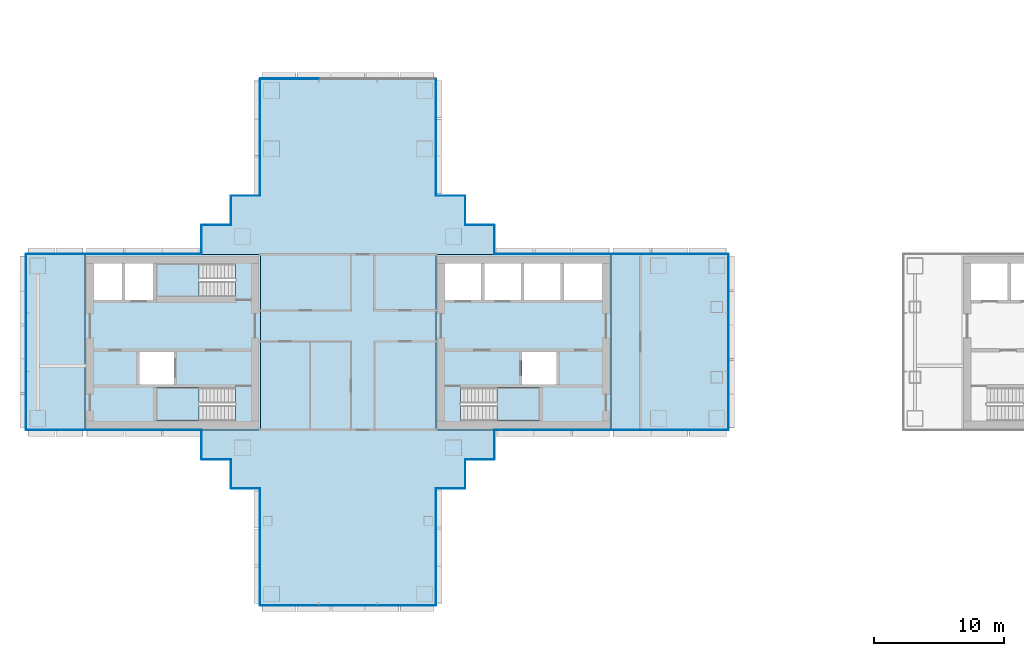
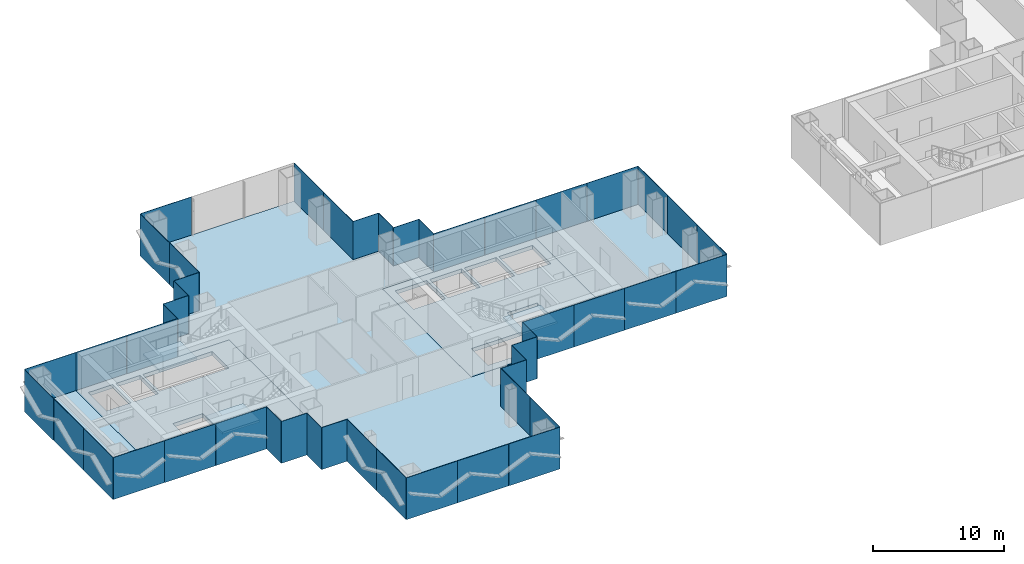
# One storey, part 9 of 18: 48 plates, 8 slabs, 23 elements without a shape of their own.
"""IFC4 building model written with IfcOpenShell, lengths in metres."""

from ifc_helpers import new_model, si_unit, direction, frame, origin, origin_2d, place, context, subcontext, project, spatial, polyline, rectangle, outline, extrude, material, layer, layer_set, type_object, element, aggregate, save


model = new_model("IFC4")

# Units and contexts
model_context = context("Model", 3, precision=1e-05, world=origin(), true_north=direction((0.0, 1.0)))
body_context = subcontext(model_context, "Body", "Model", "MODEL_VIEW")
ifc_project = project(units=[si_unit("LENGTHUNIT", "METRE"), si_unit("AREAUNIT", "SQUARE_METRE"), si_unit("VOLUMEUNIT", "CUBIC_METRE"), si_unit("PLANEANGLEUNIT", "RADIAN"), si_unit("MASSUNIT", "GRAM", prefix="KILO")], contexts=[model_context])

# Site, building, storey
site_placement = place(None, origin())
site = spatial("IfcSite", under=ifc_project, at=site_placement, CompositionType="ELEMENT")
building_placement = place(site_placement, origin())
building = spatial("IfcBuilding", under=site, at=building_placement, Name="Shamsa Quay Exchange Towers", CompositionType="ELEMENT")
storey_placement = place(building_placement, frame((0.0, 0.0, 113.10009765625)))
storey = spatial("IfcBuildingStorey", under=building, at=storey_placement, Name="L26", CompositionType="ELEMENT", Elevation=113.10009765625)

# Slabs
ifc_material_1 = material(Name="Concrete C50/60", Category="concrete")
ifc_layer_1 = layer(ifc_material_1, 0.35009765625)
ifc_layer_set_1 = layer_set([ifc_layer_1], Name="CORE FLOOR 350 C50/60")
slab_type_1 = type_object("IfcSlabType", Name="CORE FLOOR 350 C50/60", PredefinedType="FLOOR", material=ifc_layer_set_1)
slab_1_placement = place(storey_placement, frame((0.0, 0.0, -0.35009765625)))
element("IfcSlab", 1, at=slab_1_placement, inside=storey, type_object=slab_type_1, Name="Core floor T1A", PredefinedType="FLOOR", context=body_context, shape_type="SweptSolid", body=[
    extrude(outline(polyline([(-27.0, -6.75), (-13.5, -6.75), (-13.5, 6.75), (-27.0, 6.75), (-27.0, -6.75)]), holes=[polyline([(-25.099365234375, -6.050048828125), (-25.099365234375, -3.5), (-19.0, -3.5), (-19.0, -6.050048828125), (-25.099365234375, -6.050048828125)]), polyline([(-26.300048828125, 3.25), (-26.300048828125, 6.050048828125), (-23.5, 6.050048828125), (-23.5, 3.25), (-26.300048828125, 3.25)]), polyline([(-23.25, 3.25), (-23.25, 6.050048828125), (-20.449951171875, 6.050048828125), (-20.449951171875, 3.25), (-23.25, 3.25)]), polyline([(-20.199951171875, 3.25), (-20.199951171875, 6.050048828125), (-17.39990234375, 6.050048828125), (-17.39990234375, 3.25), (-20.199951171875, 3.25)]), polyline([(-17.14990234375, 3.25), (-17.14990234375, 6.050048828125), (-14.199951171875, 6.050048828125), (-14.199951171875, 3.25), (-17.14990234375, 3.25)]), polyline([(-20.35009765625, -3.25), (-20.35009765625, -0.75), (-17.699951171875, -0.75), (-17.699951171875, -3.25), (-20.35009765625, -3.25)])]), origin(), (0.0, 0.0, 1.0), 0.35009765625),
])
slab_2_placement = place(storey_placement, frame((0.0, 0.0, -0.35009765625)))
element("IfcSlab", 2, at=slab_2_placement, inside=storey, type_object=slab_type_1, Name="Core floor T1B", PredefinedType="FLOOR", context=body_context, shape_type="SweptSolid", body=[
    extrude(outline(polyline([(-40.5, -6.75), (-40.5, 6.75), (-54.0, 6.75), (-54.0, -6.75), (-40.5, -6.75)]), holes=[polyline([(-42.400634765625, -3.5), (-42.400634765625, -6.050048828125), (-48.5, -6.050048828125), (-48.5, -3.5), (-42.400634765625, -3.5)]), polyline([(-42.400634765625, 6.050048828125), (-42.400634765625, 3.5), (-48.5, 3.5), (-48.5, 6.050048828125), (-42.400634765625, 6.050048828125)]), polyline([(-48.75, 3.25), (-50.89990234375, 3.25), (-50.89990234375, 6.050048828125), (-48.75, 6.050048828125), (-48.75, 3.25)]), polyline([(-51.14990234375, 3.25), (-53.300048828125, 3.25), (-53.300048828125, 6.050048828125), (-51.14990234375, 6.050048828125), (-51.14990234375, 3.25)]), polyline([(-47.14990234375, -3.25), (-49.800048828125, -3.25), (-49.800048828125, -0.75), (-47.14990234375, -0.75), (-47.14990234375, -3.25)])]), origin(), (0.0, 0.0, 1.0), 0.35009765625),
])

# Stair, slab
ifc_material_2 = material(Name="Concrete C40/50", Category="concrete")
stair_type = type_object("IfcStairType", Name="EXIT STAIR 22 RISERS 177 MM", PredefinedType="HALF_TURN_STAIR", material=ifc_material_2)
stair_1_placement = place(storey_placement, origin())
stair_1 = element("IfcStair", 3, at=stair_1_placement, inside=storey, type_object=stair_type, Name="L26 Exit stair ST1", PredefinedType="HALF_TURN_STAIR")
ifc_layer_2 = layer(ifc_material_2, 0.199951171875)
ifc_layer_set_2 = layer_set([ifc_layer_2], Name="CORE STAIR LANDING")
slab_type_2 = type_object("IfcSlabType", Name="CORE STAIR LANDING", PredefinedType="LANDING", material=ifc_layer_set_2)
slab_3_placement = place(storey_placement, frame((0.0, 0.0, 1.75)))
slab_3 = element("IfcSlab", 4, at=slab_3_placement, type_object=slab_type_2, Name="ST1 landing 1", PredefinedType="LANDING", context=body_context, shape_type="SweptSolid", body=[
    extrude(outline(polyline([(-22.300048828125, -6.050048828125), (-19.0, -6.050048828125), (-19.0, -3.5), (-22.300048828125, -3.5), (-22.300048828125, -6.050048828125)])), origin(), (0.0, 0.0, 1.0), 0.199951171875),
])
aggregate(stair_1, [slab_3])

stair_2_placement = place(storey_placement, origin())
stair_2 = element("IfcStair", 5, at=stair_2_placement, inside=storey, type_object=stair_type, Name="L26 Exit stair ST2", PredefinedType="HALF_TURN_STAIR")
slab_4_placement = place(storey_placement, frame((0.0, 0.0, 1.75)))
slab_4 = element("IfcSlab", 6, at=slab_4_placement, type_object=slab_type_2, Name="ST2 landing 1", PredefinedType="LANDING", context=body_context, shape_type="SweptSolid", body=[
    extrude(outline(polyline([(-45.199951171875, -3.5), (-48.5, -3.5), (-48.5, -6.050048828125), (-45.199951171875, -6.050048828125), (-45.199951171875, -3.5)])), origin(), (0.0, 0.0, 1.0), 0.199951171875),
])
aggregate(stair_2, [slab_4])

stair_3_placement = place(storey_placement, origin())
stair_3 = element("IfcStair", 7, at=stair_3_placement, inside=storey, type_object=stair_type, Name="L26 Exit stair ST3", PredefinedType="HALF_TURN_STAIR")
slab_5_placement = place(storey_placement, frame((0.0, 0.0, 1.75)))
slab_5 = element("IfcSlab", 8, at=slab_5_placement, type_object=slab_type_2, Name="ST3 landing 1", PredefinedType="LANDING", context=body_context, shape_type="SweptSolid", body=[
    extrude(outline(polyline([(-45.199951171875, 6.050048828125), (-48.5, 6.050048828125), (-48.5, 3.5), (-45.199951171875, 3.5), (-45.199951171875, 6.050048828125)])), origin(), (0.0, 0.0, 1.0), 0.199951171875),
])
aggregate(stair_3, [slab_5])

# Curtain wall, plates
ifc_material_3 = material(Name="Aluminium EN AW-6063 T6, black anodised", Category="aluminium")
ifc_layer_3 = layer(ifc_material_3, 0.280029296875)
ifc_layer_set_3 = layer_set([ifc_layer_3], Name="CW-1 UNITISED VISION GLASS")
curtain_wall_type_1 = type_object("IfcCurtainWallType", Name="CW-1 UNITISED VISION GLASS", PredefinedType="NOTDEFINED", material=ifc_layer_set_3)
curtain_wall_1_placement = place(storey_placement, origin())
curtain_wall_1 = element("IfcCurtainWall", 9, at=curtain_wall_1_placement, inside=storey, type_object=curtain_wall_type_1, Name="CW1 T1-FLK-V-W L26", PredefinedType="NOTDEFINED")
ifc_material_4 = material(Name="Glass, laminated, dark tinted", Category="glass")
ifc_layer_4 = layer(ifc_material_4, 0.0400390625)
ifc_layer_set_4 = layer_set([ifc_layer_4], Name="CW-1 VISION GLASS 40")
plate_type_1 = type_object("IfcPlateType", Name="CW-1 VISION GLASS 40", PredefinedType="CURTAIN_PANEL", material=ifc_layer_set_4)
plate_1_placement = place(storey_placement, frame((-40.52001953125, -13.52587890625, -0.35009765625), z_axis=(0.0, 0.0, 1.0), x_axis=(0.0, -1.0, 0.0)))
plate_1 = element("IfcPlate", 10, at=plate_1_placement, type_object=plate_type_1, Name="CW1 glass panel", PredefinedType="CURTAIN_PANEL", context=body_context, shape_type="SweptSolid", body=[
    extrude(rectangle(XDim=4.47607421875, YDim=0.0400390625, at=origin_2d()), origin(), (0.0, 0.0, 1.0), 3.89990234375),
])
plate_2_placement = place(storey_placement, frame((-40.52001953125, -18.011962890625, -0.35009765625), z_axis=(0.0, 0.0, 1.0), x_axis=(0.0, -1.0, 0.0)))
plate_2 = element("IfcPlate", 11, at=plate_2_placement, type_object=plate_type_1, Name="CW1 glass panel", PredefinedType="CURTAIN_PANEL", context=body_context, shape_type="SweptSolid", body=[
    extrude(rectangle(XDim=4.47607421875, YDim=0.0400390625, at=origin_2d()), origin(), (0.0, 0.0, 1.0), 3.89990234375),
])
aggregate(curtain_wall_1, [plate_1, plate_2])

curtain_wall_2_placement = place(storey_placement, origin())
curtain_wall_2 = element("IfcCurtainWall", 12, at=curtain_wall_2_placement, inside=storey, type_object=curtain_wall_type_1, Name="CW1 T1-END-V- L26", PredefinedType="NOTDEFINED")
plate_3_placement = place(storey_placement, frame((-38.25244140625, -20.27001953125, -0.35009765625)))
plate_3 = element("IfcPlate", 13, at=plate_3_placement, type_object=plate_type_1, Name="CW1 glass panel", PredefinedType="CURTAIN_PANEL", context=body_context, shape_type="SweptSolid", body=[
    extrude(rectangle(XDim=4.4951171875, YDim=0.0400390625, at=origin_2d()), origin(), (0.0, 0.0, 1.0), 3.89990234375),
])
plate_4_placement = place(storey_placement, frame((-33.75, -20.27001953125, -0.35009765625)))
plate_4 = element("IfcPlate", 14, at=plate_4_placement, type_object=plate_type_1, Name="CW1 glass panel", PredefinedType="CURTAIN_PANEL", context=body_context, shape_type="SweptSolid", body=[
    extrude(rectangle(XDim=4.489990234375, YDim=0.0400390625, at=origin_2d()), origin(), (0.0, 0.0, 1.0), 3.89990234375),
])
plate_5_placement = place(storey_placement, frame((-29.24755859375, -20.27001953125, -0.35009765625)))
plate_5 = element("IfcPlate", 15, at=plate_5_placement, type_object=plate_type_1, Name="CW1 glass panel", PredefinedType="CURTAIN_PANEL", context=body_context, shape_type="SweptSolid", body=[
    extrude(rectangle(XDim=4.4951171875, YDim=0.0400390625, at=origin_2d()), origin(), (0.0, 0.0, 1.0), 3.89990234375),
])
aggregate(curtain_wall_2, [plate_3, plate_4, plate_5])

curtain_wall_3_placement = place(storey_placement, origin())
curtain_wall_3 = element("IfcCurtainWall", 16, at=curtain_wall_3_placement, inside=storey, type_object=curtain_wall_type_1, Name="CW1 T1-FLK-V-E L26", PredefinedType="NOTDEFINED")
plate_6_placement = place(storey_placement, frame((-26.97998046875, -18.00244140625, -0.35009765625), z_axis=(0.0, 0.0, 1.0), x_axis=(0.0, 1.0, 0.0)))
plate_6 = element("IfcPlate", 17, at=plate_6_placement, type_object=plate_type_1, Name="CW1 glass panel", PredefinedType="CURTAIN_PANEL", context=body_context, shape_type="SweptSolid", body=[
    extrude(rectangle(XDim=4.4951171875, YDim=0.0400390625, at=origin_2d()), origin(), (0.0, 0.0, 1.0), 3.89990234375),
])
plate_7_placement = place(storey_placement, frame((-26.97998046875, -13.49755859375, -0.35009765625), z_axis=(0.0, 0.0, 1.0), x_axis=(0.0, 1.0, 0.0)))
plate_7 = element("IfcPlate", 18, at=plate_7_placement, type_object=plate_type_1, Name="CW1 glass panel", PredefinedType="CURTAIN_PANEL", context=body_context, shape_type="SweptSolid", body=[
    extrude(rectangle(XDim=4.4951171875, YDim=0.0400390625, at=origin_2d()), origin(), (0.0, 0.0, 1.0), 3.89990234375),
])
aggregate(curtain_wall_3, [plate_6, plate_7])

curtain_wall_4_placement = place(storey_placement, origin())
curtain_wall_4 = element("IfcCurtainWall", 19, at=curtain_wall_4_placement, inside=storey, type_object=curtain_wall_type_1, Name="CW1 T1-FLK-U+S L26", PredefinedType="NOTDEFINED")
plate_8_placement = place(storey_placement, frame((-11.25244140625, -6.77001953125, -0.35009765625)))
plate_8 = element("IfcPlate", 20, at=plate_8_placement, type_object=plate_type_1, Name="CW1 glass panel", PredefinedType="CURTAIN_PANEL", context=body_context, shape_type="SweptSolid", body=[
    extrude(rectangle(XDim=4.4951171875, YDim=0.0400390625, at=origin_2d()), origin(), (0.0, 0.0, 1.0), 3.89990234375),
])
plate_9_placement = place(storey_placement, frame((-6.74755859375, -6.77001953125, -0.35009765625)))
plate_9 = element("IfcPlate", 21, at=plate_9_placement, type_object=plate_type_1, Name="CW1 glass panel", PredefinedType="CURTAIN_PANEL", context=body_context, shape_type="SweptSolid", body=[
    extrude(rectangle(XDim=4.4951171875, YDim=0.0400390625, at=origin_2d()), origin(), (0.0, 0.0, 1.0), 3.89990234375),
])
aggregate(curtain_wall_4, [plate_8, plate_9])

curtain_wall_5_placement = place(storey_placement, origin())
curtain_wall_5 = element("IfcCurtainWall", 22, at=curtain_wall_5_placement, inside=storey, type_object=curtain_wall_type_1, Name="CW1 T1-END-U+ L26", PredefinedType="NOTDEFINED")
plate_10_placement = place(storey_placement, frame((-4.47998046875, -4.50244140625, -0.35009765625), z_axis=(0.0, 0.0, 1.0), x_axis=(0.0, 1.0, 0.0)))
plate_10 = element("IfcPlate", 23, at=plate_10_placement, type_object=plate_type_1, Name="CW1 glass panel", PredefinedType="CURTAIN_PANEL", context=body_context, shape_type="SweptSolid", body=[
    extrude(rectangle(XDim=4.4951171875, YDim=0.0400390625, at=origin_2d()), origin(), (0.0, 0.0, 1.0), 3.89990234375),
])
plate_11_placement = place(storey_placement, frame((-4.47998046875, 0.0, -0.35009765625), z_axis=(0.0, 0.0, 1.0), x_axis=(0.0, 1.0, 0.0)))
plate_11 = element("IfcPlate", 24, at=plate_11_placement, type_object=plate_type_1, Name="CW1 glass panel", PredefinedType="CURTAIN_PANEL", context=body_context, shape_type="SweptSolid", body=[
    extrude(rectangle(XDim=4.489990234375, YDim=0.0400390625, at=origin_2d()), origin(), (0.0, 0.0, 1.0), 3.89990234375),
])
plate_12_placement = place(storey_placement, frame((-4.47998046875, 4.50244140625, -0.35009765625), z_axis=(0.0, 0.0, 1.0), x_axis=(0.0, 1.0, 0.0)))
plate_12 = element("IfcPlate", 25, at=plate_12_placement, type_object=plate_type_1, Name="CW1 glass panel", PredefinedType="CURTAIN_PANEL", context=body_context, shape_type="SweptSolid", body=[
    extrude(rectangle(XDim=4.4951171875, YDim=0.0400390625, at=origin_2d()), origin(), (0.0, 0.0, 1.0), 3.89990234375),
])
aggregate(curtain_wall_5, [plate_10, plate_11, plate_12])

curtain_wall_6_placement = place(storey_placement, origin())
curtain_wall_6 = element("IfcCurtainWall", 26, at=curtain_wall_6_placement, inside=storey, type_object=curtain_wall_type_1, Name="CW1 T1-FLK-U+N L26", PredefinedType="NOTDEFINED")
plate_13_placement = place(storey_placement, frame((-6.74755859375, 6.77001953125, -0.35009765625), z_axis=(0.0, 0.0, 1.0), x_axis=(-1.0, 0.0, 0.0)))
plate_13 = element("IfcPlate", 27, at=plate_13_placement, type_object=plate_type_1, Name="CW1 glass panel", PredefinedType="CURTAIN_PANEL", context=body_context, shape_type="SweptSolid", body=[
    extrude(rectangle(XDim=4.4951171875, YDim=0.0400390625, at=origin_2d()), origin(), (0.0, 0.0, 1.0), 3.89990234375),
])
plate_14_placement = place(storey_placement, frame((-11.25244140625, 6.77001953125, -0.35009765625), z_axis=(0.0, 0.0, 1.0), x_axis=(-1.0, 0.0, 0.0)))
plate_14 = element("IfcPlate", 28, at=plate_14_placement, type_object=plate_type_1, Name="CW1 glass panel", PredefinedType="CURTAIN_PANEL", context=body_context, shape_type="SweptSolid", body=[
    extrude(rectangle(XDim=4.4951171875, YDim=0.0400390625, at=origin_2d()), origin(), (0.0, 0.0, 1.0), 3.89990234375),
])
aggregate(curtain_wall_6, [plate_13, plate_14])

curtain_wall_7_placement = place(storey_placement, origin())
curtain_wall_7 = element("IfcCurtainWall", 29, at=curtain_wall_7_placement, inside=storey, type_object=curtain_wall_type_1, Name="CW1 T1-FLK-V+E L26", PredefinedType="NOTDEFINED")
plate_15_placement = place(storey_placement, frame((-26.97998046875, 13.52587890625, -0.35009765625), z_axis=(0.0, 0.0, 1.0), x_axis=(0.0, 1.0, 0.0)))
plate_15 = element("IfcPlate", 30, at=plate_15_placement, type_object=plate_type_1, Name="CW1 glass panel", PredefinedType="CURTAIN_PANEL", context=body_context, shape_type="SweptSolid", body=[
    extrude(rectangle(XDim=4.47607421875, YDim=0.0400390625, at=origin_2d()), origin(), (0.0, 0.0, 1.0), 3.89990234375),
])
plate_16_placement = place(storey_placement, frame((-26.97998046875, 18.011962890625, -0.35009765625), z_axis=(0.0, 0.0, 1.0), x_axis=(0.0, 1.0, 0.0)))
plate_16 = element("IfcPlate", 31, at=plate_16_placement, type_object=plate_type_1, Name="CW1 glass panel", PredefinedType="CURTAIN_PANEL", context=body_context, shape_type="SweptSolid", body=[
    extrude(rectangle(XDim=4.47607421875, YDim=0.0400390625, at=origin_2d()), origin(), (0.0, 0.0, 1.0), 3.89990234375),
])
aggregate(curtain_wall_7, [plate_15, plate_16])

# Curtain wall, plate
curtain_wall_8_placement = place(storey_placement, origin())
curtain_wall_8 = element("IfcCurtainWall", 32, at=curtain_wall_8_placement, inside=storey, type_object=curtain_wall_type_1, Name="CW1 T1-END-V+ L26", PredefinedType="NOTDEFINED")
plate_17_placement = place(storey_placement, frame((-38.25244140625, 20.27001953125, -0.35009765625), z_axis=(0.0, 0.0, 1.0), x_axis=(-1.0, 0.0, 0.0)))
plate_17 = element("IfcPlate", 33, at=plate_17_placement, type_object=plate_type_1, Name="CW1 glass panel", PredefinedType="CURTAIN_PANEL", context=body_context, shape_type="SweptSolid", body=[
    extrude(rectangle(XDim=4.4951171875, YDim=0.0400390625, at=origin_2d()), origin(), (0.0, 0.0, 1.0), 3.89990234375),
])
aggregate(curtain_wall_8, [plate_17])

# Curtain wall, plates
curtain_wall_9_placement = place(storey_placement, origin())
curtain_wall_9 = element("IfcCurtainWall", 34, at=curtain_wall_9_placement, inside=storey, type_object=curtain_wall_type_1, Name="CW1 T1-FLK-V+W L26", PredefinedType="NOTDEFINED")
plate_18_placement = place(storey_placement, frame((-40.52001953125, 18.00244140625, -0.35009765625), z_axis=(0.0, 0.0, 1.0), x_axis=(0.0, -1.0, 0.0)))
plate_18 = element("IfcPlate", 35, at=plate_18_placement, type_object=plate_type_1, Name="CW1 glass panel", PredefinedType="CURTAIN_PANEL", context=body_context, shape_type="SweptSolid", body=[
    extrude(rectangle(XDim=4.4951171875, YDim=0.0400390625, at=origin_2d()), origin(), (0.0, 0.0, 1.0), 3.89990234375),
])
plate_19_placement = place(storey_placement, frame((-40.52001953125, 13.49755859375, -0.35009765625), z_axis=(0.0, 0.0, 1.0), x_axis=(0.0, -1.0, 0.0)))
plate_19 = element("IfcPlate", 36, at=plate_19_placement, type_object=plate_type_1, Name="CW1 glass panel", PredefinedType="CURTAIN_PANEL", context=body_context, shape_type="SweptSolid", body=[
    extrude(rectangle(XDim=4.4951171875, YDim=0.0400390625, at=origin_2d()), origin(), (0.0, 0.0, 1.0), 3.89990234375),
])
aggregate(curtain_wall_9, [plate_18, plate_19])

# Curtain wall, plate
curtain_wall_10_placement = place(storey_placement, origin())
curtain_wall_10 = element("IfcCurtainWall", 37, at=curtain_wall_10_placement, inside=storey, type_object=curtain_wall_type_1, Name="CW1 T1-FLK-U-N L26", PredefinedType="NOTDEFINED")
plate_20_placement = place(storey_placement, frame((-56.25, 6.77001953125, -0.35009765625), z_axis=(0.0, 0.0, 1.0), x_axis=(-1.0, 0.0, 0.0)))
plate_20 = element("IfcPlate", 38, at=plate_20_placement, type_object=plate_type_1, Name="CW1 glass panel", PredefinedType="CURTAIN_PANEL", context=body_context, shape_type="SweptSolid", body=[
    extrude(rectangle(XDim=4.5, YDim=0.0400390625, at=origin_2d()), origin(), (0.0, 0.0, 1.0), 3.89990234375),
])
aggregate(curtain_wall_10, [plate_20])

# Curtain wall, plates
curtain_wall_11_placement = place(storey_placement, origin())
curtain_wall_11 = element("IfcCurtainWall", 39, at=curtain_wall_11_placement, inside=storey, type_object=curtain_wall_type_1, Name="CW1 T1-END-U- L26", PredefinedType="NOTDEFINED")
plate_21_placement = place(storey_placement, frame((-58.52001953125, 4.50244140625, -0.35009765625), z_axis=(0.0, 0.0, 1.0), x_axis=(0.0, -1.0, 0.0)))
plate_21 = element("IfcPlate", 40, at=plate_21_placement, type_object=plate_type_1, Name="CW1 glass panel", PredefinedType="CURTAIN_PANEL", context=body_context, shape_type="SweptSolid", body=[
    extrude(rectangle(XDim=4.4951171875, YDim=0.0400390625, at=origin_2d()), origin(), (0.0, 0.0, 1.0), 3.89990234375),
])
plate_22_placement = place(storey_placement, frame((-58.52001953125, 0.0, -0.35009765625), z_axis=(0.0, 0.0, 1.0), x_axis=(0.0, -1.0, 0.0)))
plate_22 = element("IfcPlate", 41, at=plate_22_placement, type_object=plate_type_1, Name="CW1 glass panel", PredefinedType="CURTAIN_PANEL", context=body_context, shape_type="SweptSolid", body=[
    extrude(rectangle(XDim=4.489990234375, YDim=0.0400390625, at=origin_2d()), origin(), (0.0, 0.0, 1.0), 3.89990234375),
])
plate_23_placement = place(storey_placement, frame((-58.52001953125, -4.50244140625, -0.35009765625), z_axis=(0.0, 0.0, 1.0), x_axis=(0.0, -1.0, 0.0)))
plate_23 = element("IfcPlate", 42, at=plate_23_placement, type_object=plate_type_1, Name="CW1 glass panel", PredefinedType="CURTAIN_PANEL", context=body_context, shape_type="SweptSolid", body=[
    extrude(rectangle(XDim=4.4951171875, YDim=0.0400390625, at=origin_2d()), origin(), (0.0, 0.0, 1.0), 3.89990234375),
])
aggregate(curtain_wall_11, [plate_21, plate_22, plate_23])

# Curtain wall, plate
curtain_wall_12_placement = place(storey_placement, origin())
curtain_wall_12 = element("IfcCurtainWall", 43, at=curtain_wall_12_placement, inside=storey, type_object=curtain_wall_type_1, Name="CW1 T1-FLK-U-S L26", PredefinedType="NOTDEFINED")
plate_24_placement = place(storey_placement, frame((-56.25, -6.77001953125, -0.35009765625)))
plate_24 = element("IfcPlate", 44, at=plate_24_placement, type_object=plate_type_1, Name="CW1 glass panel", PredefinedType="CURTAIN_PANEL", context=body_context, shape_type="SweptSolid", body=[
    extrude(rectangle(XDim=4.5, YDim=0.0400390625, at=origin_2d()), origin(), (0.0, 0.0, 1.0), 3.89990234375),
])
aggregate(curtain_wall_12, [plate_24])

# Curtain wall, plates
ifc_layer_5 = layer(ifc_material_3, 0.303955078125)
ifc_layer_set_5 = layer_set([ifc_layer_5], Name="CW-2 UNITISED OPAQUE SPANDREL GLASS")
curtain_wall_type_2 = type_object("IfcCurtainWallType", Name="CW-2 UNITISED OPAQUE SPANDREL GLASS", PredefinedType="NOTDEFINED", material=ifc_layer_set_5)
curtain_wall_13_placement = place(storey_placement, origin())
curtain_wall_13 = element("IfcCurtainWall", 45, at=curtain_wall_13_placement, inside=storey, type_object=curtain_wall_type_2, Name="CW2 T1-FLK-U+S L26", PredefinedType="NOTDEFINED")
ifc_material_5 = material(Name="Glass, laminated, black enamelled opaque", Category="glass")
ifc_layer_6 = layer(ifc_material_5, 0.0439453125)
ifc_layer_set_6 = layer_set([ifc_layer_6], Name="CW-2 SPANDREL GLASS 44")
plate_type_2 = type_object("IfcPlateType", Name="CW-2 SPANDREL GLASS 44", PredefinedType="CURTAIN_PANEL", material=ifc_layer_set_6)
plate_25_placement = place(storey_placement, frame((-20.22412109375, -6.77197265625, -0.35009765625)))
plate_25 = element("IfcPlate", 46, at=plate_25_placement, type_object=plate_type_2, Name="CW2 glass panel", PredefinedType="CURTAIN_PANEL", context=body_context, shape_type="SweptSolid", body=[
    extrude(rectangle(XDim=4.47607421875, YDim=0.0439453125, at=origin_2d()), origin(), (0.0, 0.0, 1.0), 3.89990234375),
])
plate_26_placement = place(storey_placement, frame((-15.738037109375, -6.77197265625, -0.35009765625)))
plate_26 = element("IfcPlate", 47, at=plate_26_placement, type_object=plate_type_2, Name="CW2 glass panel", PredefinedType="CURTAIN_PANEL", context=body_context, shape_type="SweptSolid", body=[
    extrude(rectangle(XDim=4.47607421875, YDim=0.0439453125, at=origin_2d()), origin(), (0.0, 0.0, 1.0), 3.89990234375),
])
aggregate(curtain_wall_13, [plate_25, plate_26])

curtain_wall_14_placement = place(storey_placement, origin())
curtain_wall_14 = element("IfcCurtainWall", 48, at=curtain_wall_14_placement, inside=storey, type_object=curtain_wall_type_2, Name="CW2 T1-FLK-U+N L26", PredefinedType="NOTDEFINED")
plate_27_placement = place(storey_placement, frame((-15.74755859375, 6.77197265625, -0.35009765625), z_axis=(0.0, 0.0, 1.0), x_axis=(-1.0, 0.0, 0.0)))
plate_27 = element("IfcPlate", 49, at=plate_27_placement, type_object=plate_type_2, Name="CW2 glass panel", PredefinedType="CURTAIN_PANEL", context=body_context, shape_type="SweptSolid", body=[
    extrude(rectangle(XDim=4.4951171875, YDim=0.0439453125, at=origin_2d()), origin(), (0.0, 0.0, 1.0), 3.89990234375),
])
plate_28_placement = place(storey_placement, frame((-20.25244140625, 6.77197265625, -0.35009765625), z_axis=(0.0, 0.0, 1.0), x_axis=(-1.0, 0.0, 0.0)))
plate_28 = element("IfcPlate", 50, at=plate_28_placement, type_object=plate_type_2, Name="CW2 glass panel", PredefinedType="CURTAIN_PANEL", context=body_context, shape_type="SweptSolid", body=[
    extrude(rectangle(XDim=4.4951171875, YDim=0.0439453125, at=origin_2d()), origin(), (0.0, 0.0, 1.0), 3.89990234375),
])
aggregate(curtain_wall_14, [plate_27, plate_28])

curtain_wall_15_placement = place(storey_placement, origin())
curtain_wall_15 = element("IfcCurtainWall", 51, at=curtain_wall_15_placement, inside=storey, type_object=curtain_wall_type_2, Name="CW2 T1-FLK-U-N L26", PredefinedType="NOTDEFINED")
plate_29_placement = place(storey_placement, frame((-47.27587890625, 6.77197265625, -0.35009765625), z_axis=(0.0, 0.0, 1.0), x_axis=(-1.0, 0.0, 0.0)))
plate_29 = element("IfcPlate", 52, at=plate_29_placement, type_object=plate_type_2, Name="CW2 glass panel", PredefinedType="CURTAIN_PANEL", context=body_context, shape_type="SweptSolid", body=[
    extrude(rectangle(XDim=4.47607421875, YDim=0.0439453125, at=origin_2d()), origin(), (0.0, 0.0, 1.0), 3.89990234375),
])
plate_30_placement = place(storey_placement, frame((-51.761962890625, 6.77197265625, -0.35009765625), z_axis=(0.0, 0.0, 1.0), x_axis=(-1.0, 0.0, 0.0)))
plate_30 = element("IfcPlate", 53, at=plate_30_placement, type_object=plate_type_2, Name="CW2 glass panel", PredefinedType="CURTAIN_PANEL", context=body_context, shape_type="SweptSolid", body=[
    extrude(rectangle(XDim=4.47607421875, YDim=0.0439453125, at=origin_2d()), origin(), (0.0, 0.0, 1.0), 3.89990234375),
])
aggregate(curtain_wall_15, [plate_29, plate_30])

curtain_wall_16_placement = place(storey_placement, origin())
curtain_wall_16 = element("IfcCurtainWall", 54, at=curtain_wall_16_placement, inside=storey, type_object=curtain_wall_type_2, Name="CW2 T1-FLK-U-S L26", PredefinedType="NOTDEFINED")
plate_31_placement = place(storey_placement, frame((-51.75244140625, -6.77197265625, -0.35009765625)))
plate_31 = element("IfcPlate", 55, at=plate_31_placement, type_object=plate_type_2, Name="CW2 glass panel", PredefinedType="CURTAIN_PANEL", context=body_context, shape_type="SweptSolid", body=[
    extrude(rectangle(XDim=4.4951171875, YDim=0.0439453125, at=origin_2d()), origin(), (0.0, 0.0, 1.0), 3.89990234375),
])
plate_32_placement = place(storey_placement, frame((-47.24755859375, -6.77197265625, -0.35009765625)))
plate_32 = element("IfcPlate", 56, at=plate_32_placement, type_object=plate_type_2, Name="CW2 glass panel", PredefinedType="CURTAIN_PANEL", context=body_context, shape_type="SweptSolid", body=[
    extrude(rectangle(XDim=4.4951171875, YDim=0.0439453125, at=origin_2d()), origin(), (0.0, 0.0, 1.0), 3.89990234375),
])
aggregate(curtain_wall_16, [plate_31, plate_32])

ifc_layer_7 = layer(ifc_material_3, 0.256103515625)
ifc_layer_set_7 = layer_set([ifc_layer_7], Name="CW-4 POCKET SERRATED GLAZING")
curtain_wall_type_3 = type_object("IfcCurtainWallType", Name="CW-4 POCKET SERRATED GLAZING", PredefinedType="NOTDEFINED", material=ifc_layer_set_7)
curtain_wall_17_placement = place(storey_placement, origin())
curtain_wall_17 = element("IfcCurtainWall", 57, at=curtain_wall_17_placement, inside=storey, type_object=curtain_wall_type_3, Name="CW4 PKWS L26", PredefinedType="NOTDEFINED")
ifc_layer_8 = layer(ifc_material_4, 0.035888671875)
ifc_layer_set_8 = layer_set([ifc_layer_8], Name="CW-4 POCKET GLASS 36")
plate_type_3 = type_object("IfcPlateType", Name="CW-4 POCKET GLASS 36", PredefinedType="CURTAIN_PANEL", material=ifc_layer_set_8)
plate_33_placement = place(storey_placement, frame((-42.76806640625, -10.14404296875, -0.35009765625), z_axis=(0.0, 0.0, 1.0), x_axis=(0.0, -1.0, 0.0)))
plate_33 = element("IfcPlate", 58, at=plate_33_placement, type_object=plate_type_3, Name="CW4 glass panel", PredefinedType="CURTAIN_PANEL", context=body_context, shape_type="SweptSolid", body=[
    extrude(rectangle(XDim=2.2119140625, YDim=0.035888671875, at=origin_2d()), origin(), (0.0, 0.0, 1.0), 3.89990234375),
])
plate_34_placement = place(storey_placement, frame((-41.625, -11.26806640625, -0.35009765625)))
plate_34 = element("IfcPlate", 59, at=plate_34_placement, type_object=plate_type_3, Name="CW4 glass panel", PredefinedType="CURTAIN_PANEL", context=body_context, shape_type="SweptSolid", body=[
    extrude(rectangle(XDim=2.25, YDim=0.035888671875, at=origin_2d()), origin(), (0.0, 0.0, 1.0), 3.89990234375),
])
plate_35_placement = place(storey_placement, frame((-45.01806640625, -7.89794921875, -0.35009765625), z_axis=(0.0, 0.0, 1.0), x_axis=(0.0, -1.0, 0.0)))
plate_35 = element("IfcPlate", 60, at=plate_35_placement, type_object=plate_type_3, Name="CW4 glass panel", PredefinedType="CURTAIN_PANEL", context=body_context, shape_type="SweptSolid", body=[
    extrude(rectangle(XDim=2.2041015625, YDim=0.035888671875, at=origin_2d()), origin(), (0.0, 0.0, 1.0), 3.89990234375),
])
plate_36_placement = place(storey_placement, frame((-43.875, -9.01806640625, -0.35009765625)))
plate_36 = element("IfcPlate", 61, at=plate_36_placement, type_object=plate_type_3, Name="CW4 glass panel", PredefinedType="CURTAIN_PANEL", context=body_context, shape_type="SweptSolid", body=[
    extrude(rectangle(XDim=2.25, YDim=0.035888671875, at=origin_2d()), origin(), (0.0, 0.0, 1.0), 3.89990234375),
])
aggregate(curtain_wall_17, [plate_33, plate_34, plate_35, plate_36])

curtain_wall_18_placement = place(storey_placement, origin())
curtain_wall_18 = element("IfcCurtainWall", 62, at=curtain_wall_18_placement, inside=storey, type_object=curtain_wall_type_3, Name="CW4 PKES L26", PredefinedType="NOTDEFINED")
plate_37_placement = place(storey_placement, frame((-25.85400390625, -11.26806640625, -0.35009765625)))
plate_37 = element("IfcPlate", 63, at=plate_37_placement, type_object=plate_type_3, Name="CW4 glass panel", PredefinedType="CURTAIN_PANEL", context=body_context, shape_type="SweptSolid", body=[
    extrude(rectangle(XDim=2.2080078125, YDim=0.035888671875, at=origin_2d()), origin(), (0.0, 0.0, 1.0), 3.89990234375),
])
plate_38_placement = place(storey_placement, frame((-24.73193359375, -10.125, -0.35009765625), z_axis=(0.0, 0.0, 1.0), x_axis=(0.0, 1.0, 0.0)))
plate_38 = element("IfcPlate", 64, at=plate_38_placement, type_object=plate_type_3, Name="CW4 glass panel", PredefinedType="CURTAIN_PANEL", context=body_context, shape_type="SweptSolid", body=[
    extrude(rectangle(XDim=2.25, YDim=0.035888671875, at=origin_2d()), origin(), (0.0, 0.0, 1.0), 3.89990234375),
])
plate_39_placement = place(storey_placement, frame((-23.60595703125, -9.01806640625, -0.35009765625)))
plate_39 = element("IfcPlate", 65, at=plate_39_placement, type_object=plate_type_3, Name="CW4 glass panel", PredefinedType="CURTAIN_PANEL", context=body_context, shape_type="SweptSolid", body=[
    extrude(rectangle(XDim=2.2119140625, YDim=0.035888671875, at=origin_2d()), origin(), (0.0, 0.0, 1.0), 3.89990234375),
])
plate_40_placement = place(storey_placement, frame((-22.48193359375, -7.875, -0.35009765625), z_axis=(0.0, 0.0, 1.0), x_axis=(0.0, 1.0, 0.0)))
plate_40 = element("IfcPlate", 66, at=plate_40_placement, type_object=plate_type_3, Name="CW4 glass panel", PredefinedType="CURTAIN_PANEL", context=body_context, shape_type="SweptSolid", body=[
    extrude(rectangle(XDim=2.25, YDim=0.035888671875, at=origin_2d()), origin(), (0.0, 0.0, 1.0), 3.89990234375),
])
aggregate(curtain_wall_18, [plate_37, plate_38, plate_39, plate_40])

curtain_wall_19_placement = place(storey_placement, origin())
curtain_wall_19 = element("IfcCurtainWall", 67, at=curtain_wall_19_placement, inside=storey, type_object=curtain_wall_type_3, Name="CW4 PKEN L26", PredefinedType="NOTDEFINED")
plate_41_placement = place(storey_placement, frame((-22.48193359375, 7.89794921875, -0.35009765625), z_axis=(0.0, 0.0, 1.0), x_axis=(0.0, 1.0, 0.0)))
plate_41 = element("IfcPlate", 68, at=plate_41_placement, type_object=plate_type_3, Name="CW4 glass panel", PredefinedType="CURTAIN_PANEL", context=body_context, shape_type="SweptSolid", body=[
    extrude(rectangle(XDim=2.2041015625, YDim=0.035888671875, at=origin_2d()), origin(), (0.0, 0.0, 1.0), 3.89990234375),
])
plate_42_placement = place(storey_placement, frame((-23.625, 9.01806640625, -0.35009765625), z_axis=(0.0, 0.0, 1.0), x_axis=(-1.0, 0.0, 0.0)))
plate_42 = element("IfcPlate", 69, at=plate_42_placement, type_object=plate_type_3, Name="CW4 glass panel", PredefinedType="CURTAIN_PANEL", context=body_context, shape_type="SweptSolid", body=[
    extrude(rectangle(XDim=2.25, YDim=0.035888671875, at=origin_2d()), origin(), (0.0, 0.0, 1.0), 3.89990234375),
])
plate_43_placement = place(storey_placement, frame((-24.73193359375, 10.14404296875, -0.35009765625), z_axis=(0.0, 0.0, 1.0), x_axis=(0.0, 1.0, 0.0)))
plate_43 = element("IfcPlate", 70, at=plate_43_placement, type_object=plate_type_3, Name="CW4 glass panel", PredefinedType="CURTAIN_PANEL", context=body_context, shape_type="SweptSolid", body=[
    extrude(rectangle(XDim=2.2119140625, YDim=0.035888671875, at=origin_2d()), origin(), (0.0, 0.0, 1.0), 3.89990234375),
])
plate_44_placement = place(storey_placement, frame((-25.875, 11.26806640625, -0.35009765625), z_axis=(0.0, 0.0, 1.0), x_axis=(-1.0, 0.0, 0.0)))
plate_44 = element("IfcPlate", 71, at=plate_44_placement, type_object=plate_type_3, Name="CW4 glass panel", PredefinedType="CURTAIN_PANEL", context=body_context, shape_type="SweptSolid", body=[
    extrude(rectangle(XDim=2.25, YDim=0.035888671875, at=origin_2d()), origin(), (0.0, 0.0, 1.0), 3.89990234375),
])
aggregate(curtain_wall_19, [plate_41, plate_42, plate_43, plate_44])

curtain_wall_20_placement = place(storey_placement, origin())
curtain_wall_20 = element("IfcCurtainWall", 72, at=curtain_wall_20_placement, inside=storey, type_object=curtain_wall_type_3, Name="CW4 PKWN L26", PredefinedType="NOTDEFINED")
plate_45_placement = place(storey_placement, frame((-41.64599609375, 11.26806640625, -0.35009765625), z_axis=(0.0, 0.0, 1.0), x_axis=(-1.0, 0.0, 0.0)))
plate_45 = element("IfcPlate", 73, at=plate_45_placement, type_object=plate_type_3, Name="CW4 glass panel", PredefinedType="CURTAIN_PANEL", context=body_context, shape_type="SweptSolid", body=[
    extrude(rectangle(XDim=2.2080078125, YDim=0.035888671875, at=origin_2d()), origin(), (0.0, 0.0, 1.0), 3.89990234375),
])
plate_46_placement = place(storey_placement, frame((-42.76806640625, 10.125, -0.35009765625), z_axis=(0.0, 0.0, 1.0), x_axis=(0.0, -1.0, 0.0)))
plate_46 = element("IfcPlate", 74, at=plate_46_placement, type_object=plate_type_3, Name="CW4 glass panel", PredefinedType="CURTAIN_PANEL", context=body_context, shape_type="SweptSolid", body=[
    extrude(rectangle(XDim=2.25, YDim=0.035888671875, at=origin_2d()), origin(), (0.0, 0.0, 1.0), 3.89990234375),
])
plate_47_placement = place(storey_placement, frame((-43.89404296875, 9.01806640625, -0.35009765625), z_axis=(0.0, 0.0, 1.0), x_axis=(-1.0, 0.0, 0.0)))
plate_47 = element("IfcPlate", 75, at=plate_47_placement, type_object=plate_type_3, Name="CW4 glass panel", PredefinedType="CURTAIN_PANEL", context=body_context, shape_type="SweptSolid", body=[
    extrude(rectangle(XDim=2.2119140625, YDim=0.035888671875, at=origin_2d()), origin(), (0.0, 0.0, 1.0), 3.89990234375),
])
plate_48_placement = place(storey_placement, frame((-45.01806640625, 7.875, -0.35009765625), z_axis=(0.0, 0.0, 1.0), x_axis=(0.0, -1.0, 0.0)))
plate_48 = element("IfcPlate", 76, at=plate_48_placement, type_object=plate_type_3, Name="CW4 glass panel", PredefinedType="CURTAIN_PANEL", context=body_context, shape_type="SweptSolid", body=[
    extrude(rectangle(XDim=2.25, YDim=0.035888671875, at=origin_2d()), origin(), (0.0, 0.0, 1.0), 3.89990234375),
])
aggregate(curtain_wall_20, [plate_45, plate_46, plate_47, plate_48])

# Slabs
ifc_layer_9 = layer(ifc_material_2, 0.35009765625)
ifc_layer_set_9 = layer_set([ifc_layer_9], Name="Flat slab 350")
slab_type_3 = type_object("IfcSlabType", Name="Flat slab 350", PredefinedType="FLOOR", material=ifc_layer_set_9)
slab_6_placement = place(storey_placement, frame((0.0, 0.0, -0.35009765625)))
element("IfcSlab", 77, at=slab_6_placement, inside=storey, type_object=slab_type_3, Name="Flat slab T1 L26 1", PredefinedType="FLOOR", context=body_context, shape_type="SweptSolid", body=[
    extrude(outline(polyline([(-58.5, -6.75), (-54.0, -6.75), (-54.0, 6.75), (-58.5, 6.75), (-58.5, -6.75)])), origin(), (0.0, 0.0, 1.0), 0.35009765625),
])
slab_7_placement = place(storey_placement, frame((0.0, 0.0, -0.35009765625)))
element("IfcSlab", 78, at=slab_7_placement, inside=storey, type_object=slab_type_3, Name="Flat slab T1 L26 2", PredefinedType="FLOOR", context=body_context, shape_type="SweptSolid", body=[
    extrude(outline(polyline([(-22.5, -9.0), (-22.5, -6.75), (-27.0, -6.75), (-27.0, 6.75), (-22.5, 6.75), (-22.5, 9.0), (-24.75, 9.0), (-24.75, 11.25), (-27.0, 11.25), (-27.0, 20.25), (-40.5, 20.25), (-40.5, 11.25), (-42.75, 11.25), (-42.75, 9.0), (-45.0, 9.0), (-45.0, 6.75), (-40.5, 6.75), (-40.5, -6.75), (-45.0, -6.75), (-45.0, -9.0), (-42.75, -9.0), (-42.75, -11.25), (-40.5, -11.25), (-40.5, -20.25), (-27.0, -20.25), (-27.0, -11.25), (-24.75, -11.25), (-24.75, -9.0), (-22.5, -9.0)])), origin(), (0.0, 0.0, 1.0), 0.35009765625),
])
slab_8_placement = place(storey_placement, frame((0.0, 0.0, -0.35009765625)))
element("IfcSlab", 79, at=slab_8_placement, inside=storey, type_object=slab_type_3, Name="Flat slab T1 L26 3", PredefinedType="FLOOR", context=body_context, shape_type="SweptSolid", body=[
    extrude(outline(polyline([(-4.5, 6.75), (-13.5, 6.75), (-13.5, -6.75), (-4.5, -6.75), (-4.5, 6.75)])), origin(), (0.0, 0.0, 1.0), 0.35009765625),
])

save(model, "model.ifc")
